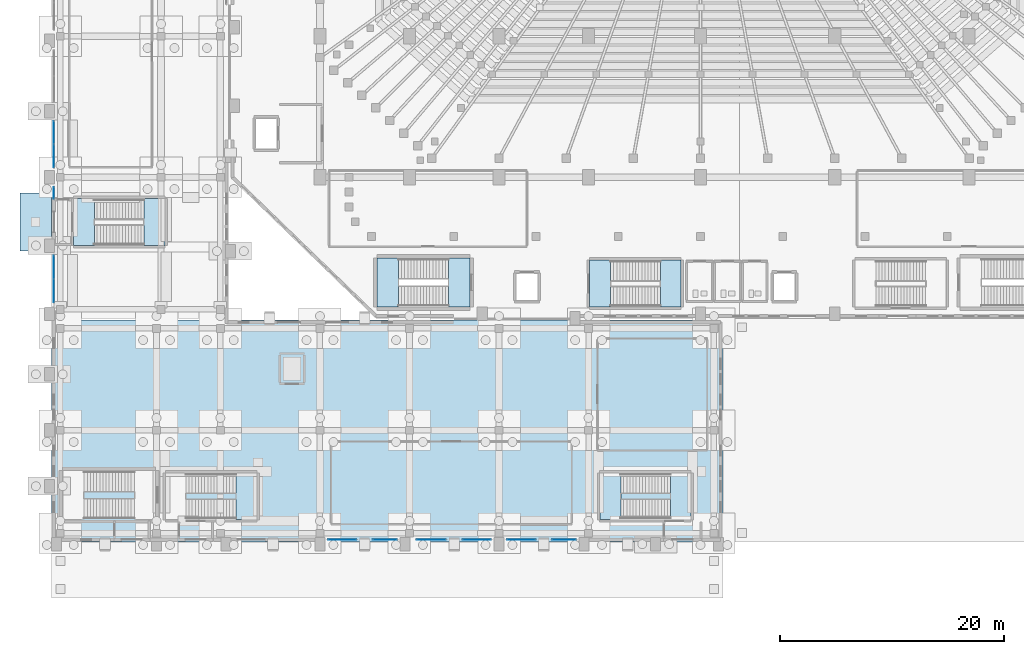
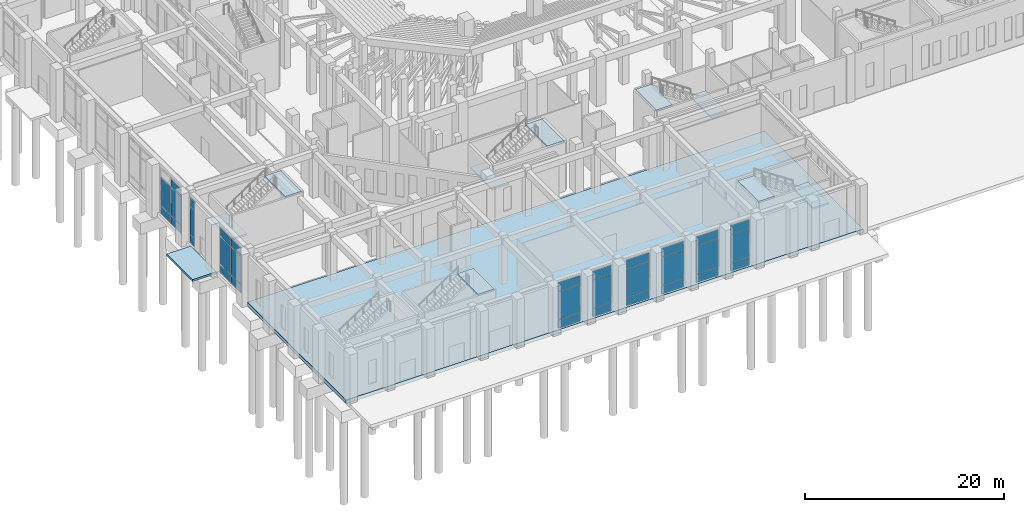
# One storey, part 78 of 143: 32 plates, 11 slabs, 14 elements without a shape of their own.
"""IFC4 building model written with IfcOpenShell, lengths in metres."""

from ifc_helpers import new_model, si_unit, derived_unit, direction, frame, origin, origin_2d, place, context, subcontext, project, spatial, polyline, rectangle, outline, extrude, material, layer, layer_set, type_object, element, aggregate, save


model = new_model("IFC4")

# Units and contexts
model_context = context("Model", 3, precision=1e-05, world=origin(), true_north=direction((0.0, 1.0)))
body_context = subcontext(model_context, "Body", "Model", "MODEL_VIEW")
ifc_project = project(units=[si_unit("LENGTHUNIT", "METRE"), si_unit("AREAUNIT", "SQUARE_METRE"), si_unit("VOLUMEUNIT", "CUBIC_METRE"), si_unit("PLANEANGLEUNIT", "RADIAN"), si_unit("MASSUNIT", "GRAM", prefix="KILO"), derived_unit("THERMALTRANSMITTANCEUNIT", [(si_unit("MASSUNIT", "GRAM", prefix="KILO"), 1), (si_unit("TIMEUNIT", "SECOND"), -3), (si_unit("THERMODYNAMICTEMPERATUREUNIT", "KELVIN"), -1)])], contexts=[model_context])

# Site, building, storey
site_placement = place(None, origin())
site = spatial("IfcSite", under=ifc_project, at=site_placement, CompositionType="ELEMENT")
building_placement = place(site_placement, origin())
building = spatial("IfcBuilding", under=site, at=building_placement, Name="Valcora Ridge Arena", CompositionType="ELEMENT")
storey_placement = place(building_placement, origin())
storey = spatial("IfcBuildingStorey", under=building, at=storey_placement, Name="L00", CompositionType="ELEMENT", Elevation=0.0)

# Stair, slabs
ifc_material_1 = material(Name="Concrete C40/50", Category="concrete")
stair_type_1 = type_object("IfcStairType", Name="TY-STAIR-ES01-60", PredefinedType="HALF_TURN_STAIR", material=ifc_material_1)
stair_1_placement = place(storey_placement, origin())
stair_1 = element("IfcStair", 1, at=stair_1_placement, inside=storey, type_object=stair_type_1, Name="ES01-60 STR-ES-0001", PredefinedType="HALF_TURN_STAIR")
ifc_layer_1 = layer(ifc_material_1, 0.199951171875, Name="Concrete C40/50")
ifc_layer_set_1 = layer_set([ifc_layer_1], Name="Concrete C40/50")
slab_type_1 = type_object("IfcSlabType", Name="TY-LAND-ES01-60", PredefinedType="LANDING", material=ifc_layer_set_1)
slab_1_placement = place(storey_placement, frame((0.0, 0.0, 2.800048828125)))
slab_1 = element("IfcSlab", 2, at=slab_1_placement, type_object=slab_type_1, Name="ES01-60 landing 1", PredefinedType="LANDING", context=body_context, shape_type="SweptSolid", body=[
    extrude(outline(polyline([(54.419921875, 21.001953125), (56.258056640625, 21.001953125), (56.258056640625, 25.197998046875), (54.419921875, 25.197998046875), (54.419921875, 21.001953125)])), origin(), (0.0, 0.0, 1.0), 0.199951171875),
])
slab_2_placement = place(storey_placement, frame((0.0, 0.0, 5.800048828125)))
slab_2 = element("IfcSlab", 3, at=slab_2_placement, type_object=slab_type_1, Name="ES01-60 landing 2", PredefinedType="LANDING", context=body_context, shape_type="SweptSolid", body=[
    extrude(outline(polyline([(48.10205078125, 21.001953125), (49.97998046875, 21.001953125), (49.97998046875, 25.197998046875), (48.10205078125, 25.197998046875), (48.10205078125, 21.001953125)])), origin(), (0.0, 0.0, 1.0), 0.199951171875),
])
aggregate(stair_1, [slab_1, slab_2])

# Stair, slab
stair_type_2 = type_object("IfcStairType", Name="TY-STAIR-ES05-60", PredefinedType="HALF_TURN_STAIR", material=ifc_material_1)
stair_2_placement = place(storey_placement, origin())
stair_2 = element("IfcStair", 4, at=stair_2_placement, inside=storey, type_object=stair_type_2, Name="ES05-60 STR-ES-0017", PredefinedType="HALF_TURN_STAIR")
ifc_layer_2 = layer(ifc_material_1, 0.199951171875, Name="Concrete C40/50")
ifc_layer_set_2 = layer_set([ifc_layer_2], Name="Concrete C40/50")
slab_type_2 = type_object("IfcSlabType", Name="TY-LAND-ES05-60", PredefinedType="LANDING", material=ifc_layer_set_2)
slab_3_placement = place(storey_placement, frame((0.0, 0.0, 5.800048828125)))
slab_3 = element("IfcSlab", 5, at=slab_3_placement, type_object=slab_type_2, Name="ES05-60 landing 2", PredefinedType="LANDING", context=body_context, shape_type="SweptSolid", body=[
    extrude(outline(polyline([(16.47998046875, 2.001953125), (18.35791015625, 2.001953125), (18.35791015625, 6.197998046875), (16.47998046875, 6.197998046875), (16.47998046875, 2.001953125)])), origin(), (0.0, 0.0, 1.0), 0.199951171875),
])
aggregate(stair_2, [slab_3])

# Stair, slabs
stair_type_3 = type_object("IfcStairType", Name="TY-STAIR-ES06-60", PredefinedType="HALF_TURN_STAIR", material=ifc_material_1)
stair_3_placement = place(storey_placement, origin())
stair_3 = element("IfcStair", 6, at=stair_3_placement, inside=storey, type_object=stair_type_3, Name="ES06-60 STR-ES-0021", PredefinedType="HALF_TURN_STAIR")
ifc_layer_3 = layer(ifc_material_1, 0.199951171875, Name="Concrete C40/50")
ifc_layer_set_3 = layer_set([ifc_layer_3], Name="Concrete C40/50")
slab_type_3 = type_object("IfcSlabType", Name="TY-LAND-ES06-60", PredefinedType="LANDING", material=ifc_layer_set_3)
slab_4_placement = place(storey_placement, frame((0.0, 0.0, 2.800048828125)))
slab_4 = element("IfcSlab", 7, at=slab_4_placement, type_object=slab_type_3, Name="ES06-60 landing 1", PredefinedType="LANDING", context=body_context, shape_type="SweptSolid", body=[
    extrude(outline(polyline([(55.320068359375, 2.001953125), (57.157958984375, 2.001953125), (57.157958984375, 6.197998046875), (55.320068359375, 6.197998046875), (55.320068359375, 2.001953125)])), origin(), (0.0, 0.0, 1.0), 0.199951171875),
])
slab_5_placement = place(storey_placement, frame((0.0, 0.0, 5.800048828125)))
slab_5 = element("IfcSlab", 8, at=slab_5_placement, type_object=slab_type_3, Name="ES06-60 landing 2", PredefinedType="LANDING", context=body_context, shape_type="SweptSolid", body=[
    extrude(outline(polyline([(49.001953125, 2.001953125), (50.8798828125, 2.001953125), (50.8798828125, 6.197998046875), (49.001953125, 6.197998046875), (49.001953125, 2.001953125)])), origin(), (0.0, 0.0, 1.0), 0.199951171875),
])
aggregate(stair_3, [slab_4, slab_5])

stair_type_4 = type_object("IfcStairType", Name="TY-STAIR-ES07-60", PredefinedType="HALF_TURN_STAIR", material=ifc_material_1)
stair_4_placement = place(storey_placement, origin())
stair_4 = element("IfcStair", 9, at=stair_4_placement, inside=storey, type_object=stair_type_4, Name="ES07-60 STR-ES-0023", PredefinedType="HALF_TURN_STAIR")
ifc_layer_4 = layer(ifc_material_1, 0.199951171875, Name="Concrete C40/50")
ifc_layer_set_4 = layer_set([ifc_layer_4], Name="Concrete C40/50")
slab_type_4 = type_object("IfcSlabType", Name="TY-LAND-ES07-60", PredefinedType="LANDING", material=ifc_layer_set_4)
slab_6_placement = place(storey_placement, frame((0.0, 0.0, 2.800048828125)))
slab_6 = element("IfcSlab", 10, at=slab_6_placement, type_object=slab_type_4, Name="ES07-60 landing 1", PredefinedType="LANDING", context=body_context, shape_type="SweptSolid", body=[
    extrude(outline(polyline([(2.001953125, 26.501953125), (3.840087890625, 26.501953125), (3.840087890625, 30.697998046875), (2.001953125, 30.697998046875), (2.001953125, 26.501953125)])), origin(), (0.0, 0.0, 1.0), 0.199951171875),
])
slab_7_placement = place(storey_placement, frame((0.0, 0.0, 5.800048828125)))
slab_7 = element("IfcSlab", 11, at=slab_7_placement, type_object=slab_type_4, Name="ES07-60 landing 2", PredefinedType="LANDING", context=body_context, shape_type="SweptSolid", body=[
    extrude(outline(polyline([(8.280029296875, 26.501953125), (10.157958984375, 26.501953125), (10.157958984375, 30.697998046875), (8.280029296875, 30.697998046875), (8.280029296875, 26.501953125)])), origin(), (0.0, 0.0, 1.0), 0.199951171875),
])
aggregate(stair_4, [slab_6, slab_7])

stair_type_5 = type_object("IfcStairType", Name="TY-STAIR-ST01-60", PredefinedType="HALF_TURN_STAIR", material=ifc_material_1)
stair_5_placement = place(storey_placement, origin())
stair_5 = element("IfcStair", 12, at=stair_5_placement, inside=storey, type_object=stair_type_5, Name="ST01-60 STR-CR-0002", PredefinedType="HALF_TURN_STAIR")
ifc_layer_5 = layer(ifc_material_1, 0.199951171875, Name="Concrete C40/50")
ifc_layer_set_5 = layer_set([ifc_layer_5], Name="Concrete C40/50")
slab_type_5 = type_object("IfcSlabType", Name="TY-LAND-ST01-60", PredefinedType="LANDING", material=ifc_layer_set_5)
slab_8_placement = place(storey_placement, frame((0.0, 0.0, 2.800048828125)))
slab_8 = element("IfcSlab", 13, at=slab_8_placement, type_object=slab_type_5, Name="ST01-60 landing 1", PredefinedType="LANDING", context=body_context, shape_type="SweptSolid", body=[
    extrude(outline(polyline([(29.08203125, 21.001953125), (31.030029296875, 21.001953125), (31.030029296875, 25.39794921875), (29.08203125, 25.39794921875), (29.08203125, 21.001953125)])), origin(), (0.0, 0.0, 1.0), 0.199951171875),
])
slab_9_placement = place(storey_placement, frame((0.0, 0.0, 5.800048828125)))
slab_9 = element("IfcSlab", 14, at=slab_9_placement, type_object=slab_type_5, Name="ST01-60 landing 2", PredefinedType="LANDING", context=body_context, shape_type="SweptSolid", body=[
    extrude(outline(polyline([(35.469970703125, 21.001953125), (37.39794921875, 21.001953125), (37.39794921875, 25.39794921875), (35.469970703125, 25.39794921875), (35.469970703125, 21.001953125)])), origin(), (0.0, 0.0, 1.0), 0.199951171875),
])
aggregate(stair_5, [slab_8, slab_9])

# Curtain wall, plates
ifc_material_2 = material(Name="Anodised dark bronze architectural aluminium 6063-T6", Category="aluminium")
ifc_layer_6 = layer(ifc_material_2, 0.14990234375, Name="Anodised dark bronze architectural aluminium 6063-T6")
ifc_layer_set_6 = layer_set([ifc_layer_6], Name="Anodised dark bronze architectural aluminium 6063-T6")
curtain_wall_type_1 = type_object("IfcCurtainWallType", Name="TY-CURTAINWALL-CW-V4-CLUB-011X56", PredefinedType="NOTDEFINED", material=ifc_layer_set_6)
curtain_wall_1_placement = place(storey_placement, origin())
curtain_wall_1 = element("IfcCurtainWall", 15, at=curtain_wall_1_placement, inside=storey, type_object=curtain_wall_type_1, Name="CW-V4-CLUB-011X56 CW-0191", PredefinedType="NOTDEFINED")
ifc_material_3 = material(Name="Low-iron solar-control double glazing SHGC 0.28", Category="glass")
ifc_layer_7 = layer(ifc_material_3, 0.028076171875, Name="Low-iron solar-control double glazing SHGC 0.28")
ifc_layer_set_7 = layer_set([ifc_layer_7], Name="Low-iron solar-control double glazing SHGC 0.28")
plate_type_1 = type_object("IfcPlateType", Name="TY-PLT-CWP-1010X0975", PredefinedType="CURTAIN_PANEL", material=ifc_layer_set_7)
plate_1_placement = place(storey_placement, frame((0.219970703125, 31.205078125, 0.050048828125), z_axis=(0.0, 0.0, 1.0), x_axis=(0.0, 1.0, 0.0)))
plate_1 = element("IfcPlate", 16, at=plate_1_placement, type_object=plate_type_1, Name="CW-0191/P00-00", PredefinedType="CURTAIN_PANEL", context=body_context, shape_type="SweptSolid", body=[
    extrude(rectangle(XDim=1.010009765625, YDim=0.028076171875, at=origin_2d()), origin(), (0.0, 0.0, 1.0), 0.97509765625),
])
ifc_layer_8 = layer(ifc_material_3, 0.028076171875, Name="Low-iron solar-control double glazing SHGC 0.28")
ifc_layer_set_8 = layer_set([ifc_layer_8], Name="Low-iron solar-control double glazing SHGC 0.28")
plate_type_2 = type_object("IfcPlateType", Name="TY-PLT-CWP-1010X1025", PredefinedType="CURTAIN_PANEL", material=ifc_layer_set_8)
plate_2_placement = place(storey_placement, frame((0.219970703125, 31.205078125, 4.56494140625), z_axis=(0.0, 0.0, 1.0), x_axis=(0.0, 1.0, 0.0)))
plate_2 = element("IfcPlate", 17, at=plate_2_placement, type_object=plate_type_2, Name="CW-0191/P00-02", PredefinedType="CURTAIN_PANEL", context=body_context, shape_type="SweptSolid", body=[
    extrude(rectangle(XDim=1.010009765625, YDim=0.028076171875, at=origin_2d()), origin(), (0.0, 0.0, 1.0), 1.02490234375),
])
ifc_layer_9 = layer(ifc_material_3, 0.028076171875, Name="Low-iron solar-control double glazing SHGC 0.28")
ifc_layer_set_9 = layer_set([ifc_layer_9], Name="Low-iron solar-control double glazing SHGC 0.28")
plate_type_3 = type_object("IfcPlateType", Name="TY-PLT-CWP-1010X3440", PredefinedType="CURTAIN_PANEL", material=ifc_layer_set_9)
plate_3_placement = place(storey_placement, frame((0.219970703125, 31.205078125, 1.074951171875), z_axis=(0.0, 0.0, 1.0), x_axis=(0.0, 1.0, 0.0)))
plate_3 = element("IfcPlate", 18, at=plate_3_placement, type_object=plate_type_3, Name="CW-0191/P00-01", PredefinedType="CURTAIN_PANEL", context=body_context, shape_type="SweptSolid", body=[
    extrude(rectangle(XDim=1.010009765625, YDim=0.028076171875, at=origin_2d()), origin(), (0.0, 0.0, 1.0), 3.43994140625),
])
aggregate(curtain_wall_1, [plate_1, plate_3, plate_2])

ifc_layer_10 = layer(ifc_material_2, 0.14990234375, Name="Anodised dark bronze architectural aluminium 6063-T6")
ifc_layer_set_10 = layer_set([ifc_layer_10], Name="Anodised dark bronze architectural aluminium 6063-T6")
curtain_wall_type_2 = type_object("IfcCurtainWallType", Name="TY-CURTAINWALL-CW-V4-CLUB-042X56", PredefinedType="NOTDEFINED", material=ifc_layer_set_10)
curtain_wall_2_placement = place(storey_placement, origin())
curtain_wall_2 = element("IfcCurtainWall", 19, at=curtain_wall_2_placement, inside=storey, type_object=curtain_wall_type_2, Name="CW-V4-CLUB-042X56 CW-0192", PredefinedType="NOTDEFINED")
ifc_layer_11 = layer(ifc_material_3, 0.028076171875, Name="Low-iron solar-control double glazing SHGC 0.28")
ifc_layer_set_11 = layer_set([ifc_layer_11], Name="Low-iron solar-control double glazing SHGC 0.28")
plate_type_4 = type_object("IfcPlateType", Name="TY-PLT-CWP-2035X0975", PredefinedType="CURTAIN_PANEL", material=ifc_layer_set_11)
plate_4_placement = place(storey_placement, frame((0.219970703125, 34.507568359375, 0.050048828125), z_axis=(0.0, 0.0, 1.0), x_axis=(0.0, 1.0, 0.0)))
plate_4 = element("IfcPlate", 20, at=plate_4_placement, type_object=plate_type_4, Name="CW-0192/P00-00", PredefinedType="CURTAIN_PANEL", context=body_context, shape_type="SweptSolid", body=[
    extrude(rectangle(XDim=2.034912109375, YDim=0.028076171875, at=origin_2d()), origin(), (0.0, 0.0, 1.0), 0.97509765625),
])
plate_5_placement = place(storey_placement, frame((0.219970703125, 36.592529296875, 0.050048828125), z_axis=(0.0, 0.0, 1.0), x_axis=(0.0, 1.0, 0.0)))
plate_5 = element("IfcPlate", 21, at=plate_5_placement, type_object=plate_type_4, Name="CW-0192/P01-00", PredefinedType="CURTAIN_PANEL", context=body_context, shape_type="SweptSolid", body=[
    extrude(rectangle(XDim=2.034912109375, YDim=0.028076171875, at=origin_2d()), origin(), (0.0, 0.0, 1.0), 0.97509765625),
])
ifc_layer_12 = layer(ifc_material_3, 0.028076171875, Name="Low-iron solar-control double glazing SHGC 0.28")
ifc_layer_set_12 = layer_set([ifc_layer_12], Name="Low-iron solar-control double glazing SHGC 0.28")
plate_type_5 = type_object("IfcPlateType", Name="TY-PLT-CWP-2035X1025", PredefinedType="CURTAIN_PANEL", material=ifc_layer_set_12)
plate_6_placement = place(storey_placement, frame((0.219970703125, 34.507568359375, 4.56494140625), z_axis=(0.0, 0.0, 1.0), x_axis=(0.0, 1.0, 0.0)))
plate_6 = element("IfcPlate", 22, at=plate_6_placement, type_object=plate_type_5, Name="CW-0192/P00-02", PredefinedType="CURTAIN_PANEL", context=body_context, shape_type="SweptSolid", body=[
    extrude(rectangle(XDim=2.034912109375, YDim=0.028076171875, at=origin_2d()), origin(), (0.0, 0.0, 1.0), 1.02490234375),
])
ifc_layer_13 = layer(ifc_material_3, 0.028076171875, Name="Low-iron solar-control double glazing SHGC 0.28")
ifc_layer_set_13 = layer_set([ifc_layer_13], Name="Low-iron solar-control double glazing SHGC 0.28")
plate_type_6 = type_object("IfcPlateType", Name="TY-PLT-CWP-2035X3440", PredefinedType="CURTAIN_PANEL", material=ifc_layer_set_13)
plate_7_placement = place(storey_placement, frame((0.219970703125, 34.507568359375, 1.074951171875), z_axis=(0.0, 0.0, 1.0), x_axis=(0.0, 1.0, 0.0)))
plate_7 = element("IfcPlate", 23, at=plate_7_placement, type_object=plate_type_6, Name="CW-0192/P00-01", PredefinedType="CURTAIN_PANEL", context=body_context, shape_type="SweptSolid", body=[
    extrude(rectangle(XDim=2.034912109375, YDim=0.028076171875, at=origin_2d()), origin(), (0.0, 0.0, 1.0), 3.43994140625),
])
plate_8_placement = place(storey_placement, frame((0.219970703125, 36.592529296875, 1.074951171875), z_axis=(0.0, 0.0, 1.0), x_axis=(0.0, 1.0, 0.0)))
plate_8 = element("IfcPlate", 24, at=plate_8_placement, type_object=plate_type_6, Name="CW-0192/P01-01", PredefinedType="CURTAIN_PANEL", context=body_context, shape_type="SweptSolid", body=[
    extrude(rectangle(XDim=2.034912109375, YDim=0.028076171875, at=origin_2d()), origin(), (0.0, 0.0, 1.0), 3.43994140625),
])
aggregate(curtain_wall_2, [plate_4, plate_7, plate_6, plate_5, plate_8])

ifc_layer_14 = layer(ifc_material_2, 0.14990234375, Name="Anodised dark bronze architectural aluminium 6063-T6")
ifc_layer_set_14 = layer_set([ifc_layer_14], Name="Anodised dark bronze architectural aluminium 6063-T6")
curtain_wall_type_3 = type_object("IfcCurtainWallType", Name="TY-CURTAINWALL-CW-V4-CLUB-043X56", PredefinedType="NOTDEFINED", material=ifc_layer_set_14)
curtain_wall_3_placement = place(storey_placement, origin())
curtain_wall_3 = element("IfcCurtainWall", 25, at=curtain_wall_3_placement, inside=storey, type_object=curtain_wall_type_3, Name="CW-V4-CLUB-043X56 CW-0190", PredefinedType="NOTDEFINED")
ifc_layer_15 = layer(ifc_material_3, 0.028076171875, Name="Low-iron solar-control double glazing SHGC 0.28")
ifc_layer_set_15 = layer_set([ifc_layer_15], Name="Low-iron solar-control double glazing SHGC 0.28")
plate_type_7 = type_object("IfcPlateType", Name="TY-PLT-CWP-2060X0975", PredefinedType="CURTAIN_PANEL", material=ifc_layer_set_15)
plate_9_placement = place(storey_placement, frame((0.219970703125, 22.469970703125, 0.050048828125), z_axis=(0.0, 0.0, 1.0), x_axis=(0.0, 1.0, 0.0)))
plate_9 = element("IfcPlate", 26, at=plate_9_placement, type_object=plate_type_7, Name="CW-0190/P00-00", PredefinedType="CURTAIN_PANEL", context=body_context, shape_type="SweptSolid", body=[
    extrude(rectangle(XDim=2.06005859375, YDim=0.028076171875, at=origin_2d()), origin(), (0.0, 0.0, 1.0), 0.97509765625),
])
plate_10_placement = place(storey_placement, frame((0.219970703125, 24.580078125, 0.050048828125), z_axis=(0.0, 0.0, 1.0), x_axis=(0.0, 1.0, 0.0)))
plate_10 = element("IfcPlate", 27, at=plate_10_placement, type_object=plate_type_7, Name="CW-0190/P01-00", PredefinedType="CURTAIN_PANEL", context=body_context, shape_type="SweptSolid", body=[
    extrude(rectangle(XDim=2.06005859375, YDim=0.028076171875, at=origin_2d()), origin(), (0.0, 0.0, 1.0), 0.97509765625),
])
ifc_layer_16 = layer(ifc_material_3, 0.028076171875, Name="Low-iron solar-control double glazing SHGC 0.28")
ifc_layer_set_16 = layer_set([ifc_layer_16], Name="Low-iron solar-control double glazing SHGC 0.28")
plate_type_8 = type_object("IfcPlateType", Name="TY-PLT-CWP-2060X1025", PredefinedType="CURTAIN_PANEL", material=ifc_layer_set_16)
plate_11_placement = place(storey_placement, frame((0.219970703125, 22.469970703125, 4.56494140625), z_axis=(0.0, 0.0, 1.0), x_axis=(0.0, 1.0, 0.0)))
plate_11 = element("IfcPlate", 28, at=plate_11_placement, type_object=plate_type_8, Name="CW-0190/P00-02", PredefinedType="CURTAIN_PANEL", context=body_context, shape_type="SweptSolid", body=[
    extrude(rectangle(XDim=2.06005859375, YDim=0.028076171875, at=origin_2d()), origin(), (0.0, 0.0, 1.0), 1.02490234375),
])
plate_12_placement = place(storey_placement, frame((0.219970703125, 24.580078125, 4.56494140625), z_axis=(0.0, 0.0, 1.0), x_axis=(0.0, 1.0, 0.0)))
plate_12 = element("IfcPlate", 29, at=plate_12_placement, type_object=plate_type_8, Name="CW-0190/P01-02", PredefinedType="CURTAIN_PANEL", context=body_context, shape_type="SweptSolid", body=[
    extrude(rectangle(XDim=2.06005859375, YDim=0.028076171875, at=origin_2d()), origin(), (0.0, 0.0, 1.0), 1.02490234375),
])
ifc_layer_17 = layer(ifc_material_3, 0.028076171875, Name="Low-iron solar-control double glazing SHGC 0.28")
ifc_layer_set_17 = layer_set([ifc_layer_17], Name="Low-iron solar-control double glazing SHGC 0.28")
plate_type_9 = type_object("IfcPlateType", Name="TY-PLT-CWP-2060X3440", PredefinedType="CURTAIN_PANEL", material=ifc_layer_set_17)
plate_13_placement = place(storey_placement, frame((0.219970703125, 22.469970703125, 1.074951171875), z_axis=(0.0, 0.0, 1.0), x_axis=(0.0, 1.0, 0.0)))
plate_13 = element("IfcPlate", 30, at=plate_13_placement, type_object=plate_type_9, Name="CW-0190/P00-01", PredefinedType="CURTAIN_PANEL", context=body_context, shape_type="SweptSolid", body=[
    extrude(rectangle(XDim=2.06005859375, YDim=0.028076171875, at=origin_2d()), origin(), (0.0, 0.0, 1.0), 3.43994140625),
])
plate_14_placement = place(storey_placement, frame((0.219970703125, 24.580078125, 1.074951171875), z_axis=(0.0, 0.0, 1.0), x_axis=(0.0, 1.0, 0.0)))
plate_14 = element("IfcPlate", 31, at=plate_14_placement, type_object=plate_type_9, Name="CW-0190/P01-01", PredefinedType="CURTAIN_PANEL", context=body_context, shape_type="SweptSolid", body=[
    extrude(rectangle(XDim=2.06005859375, YDim=0.028076171875, at=origin_2d()), origin(), (0.0, 0.0, 1.0), 3.43994140625),
])
aggregate(curtain_wall_3, [plate_9, plate_13, plate_11, plate_10, plate_14, plate_12])

# Curtain wall, plate
ifc_layer_18 = layer(ifc_material_2, 0.14990234375, Name="Anodised dark bronze architectural aluminium 6063-T6")
ifc_layer_set_18 = layer_set([ifc_layer_18], Name="Anodised dark bronze architectural aluminium 6063-T6")
curtain_wall_type_4 = type_object("IfcCurtainWallType", Name="TY-CURTAINWALL-CW-V4-CLUB-022X56", PredefinedType="NOTDEFINED", material=ifc_layer_set_18)
curtain_wall_4_placement = place(storey_placement, origin())
curtain_wall_4 = element("IfcCurtainWall", 32, at=curtain_wall_4_placement, inside=storey, type_object=curtain_wall_type_4, Name="CW-V4-CLUB-022X56 CW-0185", PredefinedType="NOTDEFINED")
ifc_layer_19 = layer(ifc_material_3, 0.028076171875, Name="Low-iron solar-control double glazing SHGC 0.28")
ifc_layer_set_19 = layer_set([ifc_layer_19], Name="Low-iron solar-control double glazing SHGC 0.28")
plate_type_10 = type_object("IfcPlateType", Name="TY-PLT-CWP-2120X0975", PredefinedType="CURTAIN_PANEL", material=ifc_layer_set_19)
plate_15_placement = place(storey_placement, frame((29.800048828125, 0.219970703125, 0.050048828125), z_axis=(0.0, 0.0, 1.0), x_axis=(1.0, 0.0, 0.0)))
plate_15 = element("IfcPlate", 33, at=plate_15_placement, type_object=plate_type_10, Name="CW-0185/P00-00", PredefinedType="CURTAIN_PANEL", context=body_context, shape_type="SweptSolid", body=[
    extrude(rectangle(XDim=2.1201171875, YDim=0.028076171875, at=origin_2d()), origin(), (0.0, 0.0, 1.0), 0.97509765625),
])

curtain_wall_5_placement = place(storey_placement, origin())
curtain_wall_5 = element("IfcCurtainWall", 34, at=curtain_wall_5_placement, inside=storey, type_object=curtain_wall_type_4, Name="CW-V4-CLUB-022X56 CW-0189", PredefinedType="NOTDEFINED")
plate_16_placement = place(storey_placement, frame((45.800048828125, 0.219970703125, 0.050048828125), z_axis=(0.0, 0.0, 1.0), x_axis=(1.0, 0.0, 0.0)))
plate_16 = element("IfcPlate", 35, at=plate_16_placement, type_object=plate_type_10, Name="CW-0189/P00-00", PredefinedType="CURTAIN_PANEL", context=body_context, shape_type="SweptSolid", body=[
    extrude(rectangle(XDim=2.1201171875, YDim=0.028076171875, at=origin_2d()), origin(), (0.0, 0.0, 1.0), 0.97509765625),
])

# Plate
ifc_layer_20 = layer(ifc_material_3, 0.028076171875, Name="Low-iron solar-control double glazing SHGC 0.28")
ifc_layer_set_20 = layer_set([ifc_layer_20], Name="Low-iron solar-control double glazing SHGC 0.28")
plate_type_11 = type_object("IfcPlateType", Name="TY-PLT-CWP-2120X1025", PredefinedType="CURTAIN_PANEL", material=ifc_layer_set_20)
plate_17_placement = place(storey_placement, frame((29.800048828125, 0.219970703125, 4.56494140625), z_axis=(0.0, 0.0, 1.0), x_axis=(1.0, 0.0, 0.0)))
plate_17 = element("IfcPlate", 36, at=plate_17_placement, type_object=plate_type_11, Name="CW-0185/P00-02", PredefinedType="CURTAIN_PANEL", context=body_context, shape_type="SweptSolid", body=[
    extrude(rectangle(XDim=2.1201171875, YDim=0.028076171875, at=origin_2d()), origin(), (0.0, 0.0, 1.0), 1.02490234375),
])

plate_18_placement = place(storey_placement, frame((45.800048828125, 0.219970703125, 4.56494140625), z_axis=(0.0, 0.0, 1.0), x_axis=(1.0, 0.0, 0.0)))
plate_18 = element("IfcPlate", 37, at=plate_18_placement, type_object=plate_type_11, Name="CW-0189/P00-02", PredefinedType="CURTAIN_PANEL", context=body_context, shape_type="SweptSolid", body=[
    extrude(rectangle(XDim=2.1201171875, YDim=0.028076171875, at=origin_2d()), origin(), (0.0, 0.0, 1.0), 1.02490234375),
])

ifc_layer_21 = layer(ifc_material_3, 0.028076171875, Name="Low-iron solar-control double glazing SHGC 0.28")
ifc_layer_set_21 = layer_set([ifc_layer_21], Name="Low-iron solar-control double glazing SHGC 0.28")
plate_type_12 = type_object("IfcPlateType", Name="TY-PLT-CWP-2120X3440", PredefinedType="CURTAIN_PANEL", material=ifc_layer_set_21)
plate_19_placement = place(storey_placement, frame((29.800048828125, 0.219970703125, 1.074951171875), z_axis=(0.0, 0.0, 1.0), x_axis=(1.0, 0.0, 0.0)))
plate_19 = element("IfcPlate", 38, at=plate_19_placement, type_object=plate_type_12, Name="CW-0185/P00-01", PredefinedType="CURTAIN_PANEL", context=body_context, shape_type="SweptSolid", body=[
    extrude(rectangle(XDim=2.1201171875, YDim=0.028076171875, at=origin_2d()), origin(), (0.0, 0.0, 1.0), 3.43994140625),
])

aggregate(curtain_wall_4, [plate_15, plate_19, plate_17])

plate_20_placement = place(storey_placement, frame((45.800048828125, 0.219970703125, 1.074951171875), z_axis=(0.0, 0.0, 1.0), x_axis=(1.0, 0.0, 0.0)))
plate_20 = element("IfcPlate", 39, at=plate_20_placement, type_object=plate_type_12, Name="CW-0189/P00-01", PredefinedType="CURTAIN_PANEL", context=body_context, shape_type="SweptSolid", body=[
    extrude(rectangle(XDim=2.1201171875, YDim=0.028076171875, at=origin_2d()), origin(), (0.0, 0.0, 1.0), 3.43994140625),
])

aggregate(curtain_wall_5, [plate_16, plate_20, plate_18])

# Curtain wall, plate
ifc_layer_22 = layer(ifc_material_2, 0.14990234375, Name="Anodised dark bronze architectural aluminium 6063-T6")
ifc_layer_set_22 = layer_set([ifc_layer_22], Name="Anodised dark bronze architectural aluminium 6063-T6")
curtain_wall_type_5 = type_object("IfcCurtainWallType", Name="TY-CURTAINWALL-CW-V4-CLUB-026X56", PredefinedType="NOTDEFINED", material=ifc_layer_set_22)
curtain_wall_6_placement = place(storey_placement, origin())
curtain_wall_6 = element("IfcCurtainWall", 40, at=curtain_wall_6_placement, inside=storey, type_object=curtain_wall_type_5, Name="CW-V4-CLUB-026X56 CW-0184", PredefinedType="NOTDEFINED")
ifc_layer_23 = layer(ifc_material_3, 0.028076171875, Name="Low-iron solar-control double glazing SHGC 0.28")
ifc_layer_set_23 = layer_set([ifc_layer_23], Name="Low-iron solar-control double glazing SHGC 0.28")
plate_type_13 = type_object("IfcPlateType", Name="TY-PLT-CWP-2520X0975", PredefinedType="CURTAIN_PANEL", material=ifc_layer_set_23)
plate_21_placement = place(storey_placement, frame((26.0, 0.219970703125, 0.050048828125), z_axis=(0.0, 0.0, 1.0), x_axis=(1.0, 0.0, 0.0)))
plate_21 = element("IfcPlate", 41, at=plate_21_placement, type_object=plate_type_13, Name="CW-0184/P00-00", PredefinedType="CURTAIN_PANEL", context=body_context, shape_type="SweptSolid", body=[
    extrude(rectangle(XDim=2.52001953125, YDim=0.028076171875, at=origin_2d()), origin(), (0.0, 0.0, 1.0), 0.97509765625),
])

curtain_wall_7_placement = place(storey_placement, origin())
curtain_wall_7 = element("IfcCurtainWall", 42, at=curtain_wall_7_placement, inside=storey, type_object=curtain_wall_type_5, Name="CW-V4-CLUB-026X56 CW-0187", PredefinedType="NOTDEFINED")
plate_22_placement = place(storey_placement, frame((38.0, 0.219970703125, 0.050048828125), z_axis=(0.0, 0.0, 1.0), x_axis=(1.0, 0.0, 0.0)))
plate_22 = element("IfcPlate", 43, at=plate_22_placement, type_object=plate_type_13, Name="CW-0187/P00-00", PredefinedType="CURTAIN_PANEL", context=body_context, shape_type="SweptSolid", body=[
    extrude(rectangle(XDim=2.52001953125, YDim=0.028076171875, at=origin_2d()), origin(), (0.0, 0.0, 1.0), 0.97509765625),
])

curtain_wall_8_placement = place(storey_placement, origin())
curtain_wall_8 = element("IfcCurtainWall", 44, at=curtain_wall_8_placement, inside=storey, type_object=curtain_wall_type_5, Name="CW-V4-CLUB-026X56 CW-0188", PredefinedType="NOTDEFINED")
plate_23_placement = place(storey_placement, frame((42.0, 0.219970703125, 0.050048828125), z_axis=(0.0, 0.0, 1.0), x_axis=(1.0, 0.0, 0.0)))
plate_23 = element("IfcPlate", 45, at=plate_23_placement, type_object=plate_type_13, Name="CW-0188/P00-00", PredefinedType="CURTAIN_PANEL", context=body_context, shape_type="SweptSolid", body=[
    extrude(rectangle(XDim=2.52001953125, YDim=0.028076171875, at=origin_2d()), origin(), (0.0, 0.0, 1.0), 0.97509765625),
])

# Plate
ifc_layer_24 = layer(ifc_material_3, 0.028076171875, Name="Low-iron solar-control double glazing SHGC 0.28")
ifc_layer_set_24 = layer_set([ifc_layer_24], Name="Low-iron solar-control double glazing SHGC 0.28")
plate_type_14 = type_object("IfcPlateType", Name="TY-PLT-CWP-2520X1025", PredefinedType="CURTAIN_PANEL", material=ifc_layer_set_24)
plate_24_placement = place(storey_placement, frame((26.0, 0.219970703125, 4.56494140625), z_axis=(0.0, 0.0, 1.0), x_axis=(1.0, 0.0, 0.0)))
plate_24 = element("IfcPlate", 46, at=plate_24_placement, type_object=plate_type_14, Name="CW-0184/P00-02", PredefinedType="CURTAIN_PANEL", context=body_context, shape_type="SweptSolid", body=[
    extrude(rectangle(XDim=2.52001953125, YDim=0.028076171875, at=origin_2d()), origin(), (0.0, 0.0, 1.0), 1.02490234375),
])

plate_25_placement = place(storey_placement, frame((38.0, 0.219970703125, 4.56494140625), z_axis=(0.0, 0.0, 1.0), x_axis=(1.0, 0.0, 0.0)))
plate_25 = element("IfcPlate", 47, at=plate_25_placement, type_object=plate_type_14, Name="CW-0187/P00-02", PredefinedType="CURTAIN_PANEL", context=body_context, shape_type="SweptSolid", body=[
    extrude(rectangle(XDim=2.52001953125, YDim=0.028076171875, at=origin_2d()), origin(), (0.0, 0.0, 1.0), 1.02490234375),
])

plate_26_placement = place(storey_placement, frame((42.0, 0.219970703125, 4.56494140625), z_axis=(0.0, 0.0, 1.0), x_axis=(1.0, 0.0, 0.0)))
plate_26 = element("IfcPlate", 48, at=plate_26_placement, type_object=plate_type_14, Name="CW-0188/P00-02", PredefinedType="CURTAIN_PANEL", context=body_context, shape_type="SweptSolid", body=[
    extrude(rectangle(XDim=2.52001953125, YDim=0.028076171875, at=origin_2d()), origin(), (0.0, 0.0, 1.0), 1.02490234375),
])

ifc_layer_25 = layer(ifc_material_3, 0.028076171875, Name="Low-iron solar-control double glazing SHGC 0.28")
ifc_layer_set_25 = layer_set([ifc_layer_25], Name="Low-iron solar-control double glazing SHGC 0.28")
plate_type_15 = type_object("IfcPlateType", Name="TY-PLT-CWP-2520X3440", PredefinedType="CURTAIN_PANEL", material=ifc_layer_set_25)
plate_27_placement = place(storey_placement, frame((26.0, 0.219970703125, 1.074951171875), z_axis=(0.0, 0.0, 1.0), x_axis=(1.0, 0.0, 0.0)))
plate_27 = element("IfcPlate", 49, at=plate_27_placement, type_object=plate_type_15, Name="CW-0184/P00-01", PredefinedType="CURTAIN_PANEL", context=body_context, shape_type="SweptSolid", body=[
    extrude(rectangle(XDim=2.52001953125, YDim=0.028076171875, at=origin_2d()), origin(), (0.0, 0.0, 1.0), 3.43994140625),
])

aggregate(curtain_wall_6, [plate_21, plate_27, plate_24])

plate_28_placement = place(storey_placement, frame((38.0, 0.219970703125, 1.074951171875), z_axis=(0.0, 0.0, 1.0), x_axis=(1.0, 0.0, 0.0)))
plate_28 = element("IfcPlate", 50, at=plate_28_placement, type_object=plate_type_15, Name="CW-0187/P00-01", PredefinedType="CURTAIN_PANEL", context=body_context, shape_type="SweptSolid", body=[
    extrude(rectangle(XDim=2.52001953125, YDim=0.028076171875, at=origin_2d()), origin(), (0.0, 0.0, 1.0), 3.43994140625),
])

aggregate(curtain_wall_7, [plate_22, plate_28, plate_25])

plate_29_placement = place(storey_placement, frame((42.0, 0.219970703125, 1.074951171875), z_axis=(0.0, 0.0, 1.0), x_axis=(1.0, 0.0, 0.0)))
plate_29 = element("IfcPlate", 51, at=plate_29_placement, type_object=plate_type_15, Name="CW-0188/P00-01", PredefinedType="CURTAIN_PANEL", context=body_context, shape_type="SweptSolid", body=[
    extrude(rectangle(XDim=2.52001953125, YDim=0.028076171875, at=origin_2d()), origin(), (0.0, 0.0, 1.0), 3.43994140625),
])

aggregate(curtain_wall_8, [plate_23, plate_29, plate_26])

# Curtain wall, plates
ifc_layer_26 = layer(ifc_material_2, 0.14990234375, Name="Anodised dark bronze architectural aluminium 6063-T6")
ifc_layer_set_26 = layer_set([ifc_layer_26], Name="Anodised dark bronze architectural aluminium 6063-T6")
curtain_wall_type_6 = type_object("IfcCurtainWallType", Name="TY-CURTAINWALL-CW-V4-CLUB-027X56", PredefinedType="NOTDEFINED", material=ifc_layer_set_26)
curtain_wall_9_placement = place(storey_placement, origin())
curtain_wall_9 = element("IfcCurtainWall", 52, at=curtain_wall_9_placement, inside=storey, type_object=curtain_wall_type_6, Name="CW-V4-CLUB-027X56 CW-0186", PredefinedType="NOTDEFINED")
ifc_layer_27 = layer(ifc_material_3, 0.028076171875, Name="Low-iron solar-control double glazing SHGC 0.28")
ifc_layer_set_27 = layer_set([ifc_layer_27], Name="Low-iron solar-control double glazing SHGC 0.28")
plate_type_16 = type_object("IfcPlateType", Name="TY-PLT-CWP-2620X0975", PredefinedType="CURTAIN_PANEL", material=ifc_layer_set_27)
plate_30_placement = place(storey_placement, frame((33.949951171875, 0.219970703125, 0.050048828125), z_axis=(0.0, 0.0, 1.0), x_axis=(1.0, 0.0, 0.0)))
plate_30 = element("IfcPlate", 53, at=plate_30_placement, type_object=plate_type_16, Name="CW-0186/P00-00", PredefinedType="CURTAIN_PANEL", context=body_context, shape_type="SweptSolid", body=[
    extrude(rectangle(XDim=2.6201171875, YDim=0.028076171875, at=origin_2d()), origin(), (0.0, 0.0, 1.0), 0.97509765625),
])
ifc_layer_28 = layer(ifc_material_3, 0.028076171875, Name="Low-iron solar-control double glazing SHGC 0.28")
ifc_layer_set_28 = layer_set([ifc_layer_28], Name="Low-iron solar-control double glazing SHGC 0.28")
plate_type_17 = type_object("IfcPlateType", Name="TY-PLT-CWP-2620X1025", PredefinedType="CURTAIN_PANEL", material=ifc_layer_set_28)
plate_31_placement = place(storey_placement, frame((33.949951171875, 0.219970703125, 4.56494140625), z_axis=(0.0, 0.0, 1.0), x_axis=(1.0, 0.0, 0.0)))
plate_31 = element("IfcPlate", 54, at=plate_31_placement, type_object=plate_type_17, Name="CW-0186/P00-02", PredefinedType="CURTAIN_PANEL", context=body_context, shape_type="SweptSolid", body=[
    extrude(rectangle(XDim=2.6201171875, YDim=0.028076171875, at=origin_2d()), origin(), (0.0, 0.0, 1.0), 1.02490234375),
])
ifc_layer_29 = layer(ifc_material_3, 0.028076171875, Name="Low-iron solar-control double glazing SHGC 0.28")
ifc_layer_set_29 = layer_set([ifc_layer_29], Name="Low-iron solar-control double glazing SHGC 0.28")
plate_type_18 = type_object("IfcPlateType", Name="TY-PLT-CWP-2620X3440", PredefinedType="CURTAIN_PANEL", material=ifc_layer_set_29)
plate_32_placement = place(storey_placement, frame((33.949951171875, 0.219970703125, 1.074951171875), z_axis=(0.0, 0.0, 1.0), x_axis=(1.0, 0.0, 0.0)))
plate_32 = element("IfcPlate", 55, at=plate_32_placement, type_object=plate_type_18, Name="CW-0186/P00-01", PredefinedType="CURTAIN_PANEL", context=body_context, shape_type="SweptSolid", body=[
    extrude(rectangle(XDim=2.6201171875, YDim=0.028076171875, at=origin_2d()), origin(), (0.0, 0.0, 1.0), 3.43994140625),
])
aggregate(curtain_wall_9, [plate_30, plate_32, plate_31])

# Slabs
ifc_layer_30 = layer(ifc_material_1, 0.239990234375, Name="Concrete C40/50")
ifc_layer_set_30 = layer_set([ifc_layer_30], Name="Concrete C40/50")
slab_type_6 = type_object("IfcSlabType", Name="TY-SLAB-SL-PAV-EXP", PredefinedType="USERDEFINED", material=ifc_layer_set_30)
slab_10_placement = place(storey_placement, frame((0.0, 0.0, -0.239990234375)))
element("IfcSlab", 56, at=slab_10_placement, inside=storey, type_object=slab_type_6, Name="SL-PAV-EXP SLB-XP-0001", ObjectType="PAVING", PredefinedType="USERDEFINED", context=body_context, shape_type="SweptSolid", body=[
    extrude(outline(polyline([(-2.800048828125, 26.0), (0.0, 26.0), (0.0, 31.199951171875), (-2.800048828125, 31.199951171875), (-2.800048828125, 26.0)])), origin(), (0.0, 0.0, 1.0), 0.239990234375),
])
ifc_layer_31 = layer(ifc_material_1, 0.449951171875, Name="Concrete C40/50")
ifc_layer_set_31 = layer_set([ifc_layer_31], Name="Concrete C40/50")
slab_type_7 = type_object("IfcSlabType", Name="TY-SLAB-SL-SOG-V4S", PredefinedType="BASESLAB", material=ifc_layer_set_31)
slab_11_placement = place(storey_placement, frame((0.0, 0.0, -0.449951171875)))
element("IfcSlab", 57, at=slab_11_placement, inside=storey, type_object=slab_type_7, Name="SL-SOG-V4S SLB-0023", PredefinedType="BASESLAB", context=body_context, shape_type="SweptSolid", body=[
    extrude(outline(polyline([(60.0, 0.0), (60.0, 19.85009765625), (0.0, 19.85009765625), (0.0, 0.0), (60.0, 0.0)])), origin(), (0.0, 0.0, 1.0), 0.449951171875),
])

save(model, "model.ifc")
